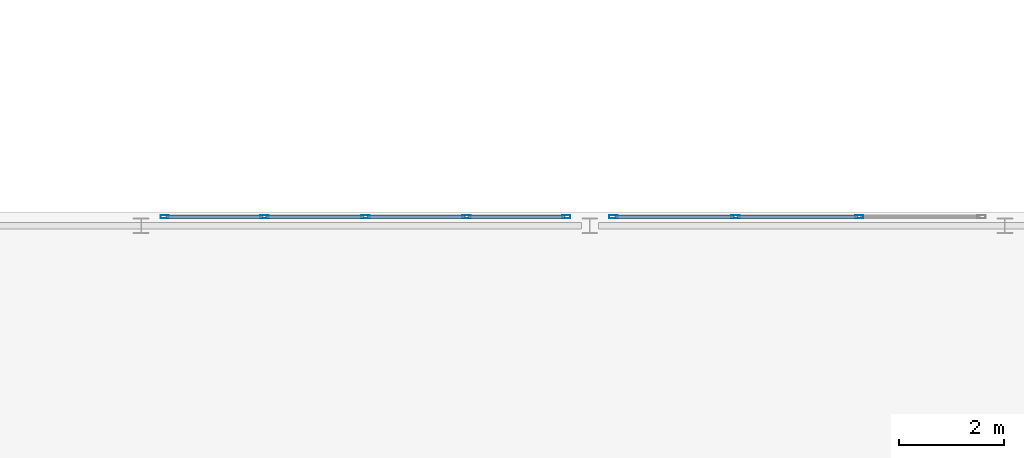
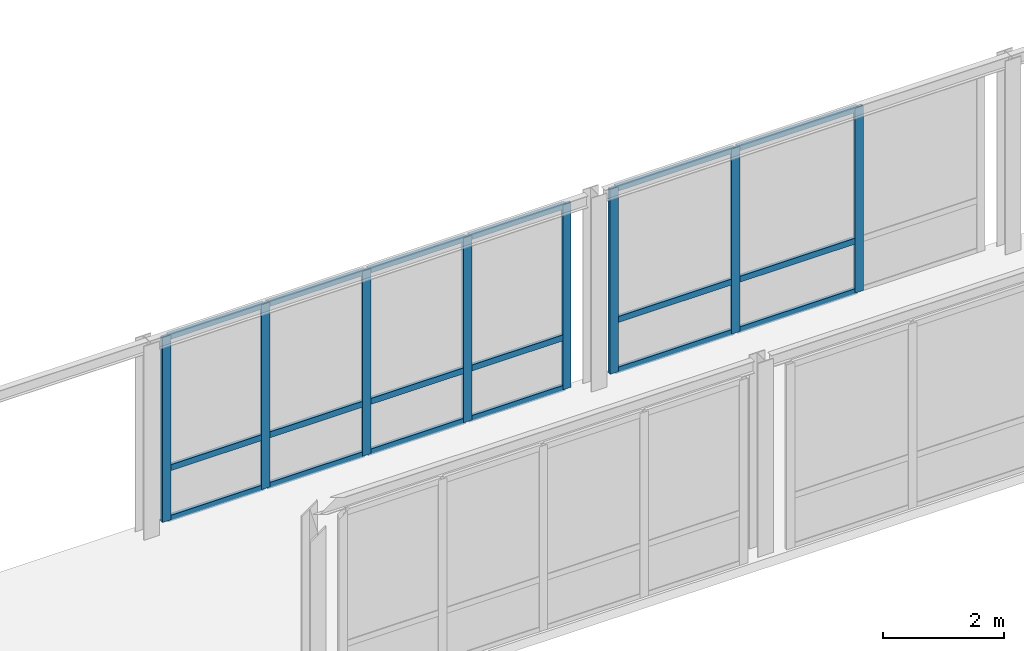
# One storey, part 62 of 165: 26 members, 2 elements without a shape of their own.
"""IFC4 building model written with IfcOpenShell, lengths in metres."""

import ifcopenshell
import ifcopenshell.guid

model = None  # the IFC model being written
_history = None  # IfcOwnerHistory: only IFC2X3 demands one
_inside = {}  # id of a spatial element -> (the spatial element, [elements in it])
_under = {}  # id of a project, library or spatial element -> (it, [spatial elements below it])
_declared = {}  # id of a project -> (the project, [libraries it declares])
_typed = {}  # id of a type object -> (the type object, [elements of that type])
_made_of = {}  # id of a material, layer set ... -> (it, [elements and type objects made of it])


def new_model(schema):
    """Start an empty IFC model of exactly this schema.

    Asked for "IFC4X3", IfcOpenShell would pick the latest addendum, in which some entities
    have other attributes; the version numbers below select the first issue.
    IFC2X3 requires an IfcOwnerHistory on every rooted entity: one is made here for all.
    """
    global model, _history
    if schema == "IFC4X3":
        model = ifcopenshell.file(schema_version=(4, 3, 0, 0))
    else:
        model = ifcopenshell.file(schema=schema)
    _inside.clear()
    _under.clear()
    _declared.clear()
    _typed.clear()
    _made_of.clear()
    _history = None
    if model.schema == "IFC2X3":
        org = make("IfcOrganization", Name="unknown")
        user = make(
            "IfcPersonAndOrganization",
            ThePerson=make("IfcPerson", FamilyName="unknown"),
            TheOrganization=org,
        )
        app = make(
            "IfcApplication",
            ApplicationDeveloper=org,
            Version="unknown",
            ApplicationFullName="unknown",
            ApplicationIdentifier="unknown",
        )
        _history = make(
            "IfcOwnerHistory",
            OwningUser=user,
            OwningApplication=app,
            ChangeAction="ADDED",
            CreationDate=0,
        )
    return model


def make(cls, **values):
    """One entity of the class cls with the attributes given. An attribute that is None is left unset."""
    return model.create_entity(
        cls, **{name: value for name, value in values.items() if value is not None}
    )


def rooted(cls, **values):
    """An entity with a GlobalId (a new one), such as an element, a storey or a relation."""
    return make(cls, GlobalId=ifcopenshell.guid.new(), OwnerHistory=_history, **values)


def si_unit(unit_type, name, prefix=None):
    """IfcSIUnit, for example si_unit("LENGTHUNIT", "METRE", prefix="MILLI")."""
    return make("IfcSIUnit", UnitType=unit_type, Prefix=prefix, Name=name)


def assignment(units):
    """IfcUnitAssignment: the units of a project."""
    return None if units is None else make("IfcUnitAssignment", Units=units)


def point(xyz):
    """IfcCartesianPoint."""
    return None if xyz is None else make("IfcCartesianPoint", Coordinates=xyz)


def direction(xyz):
    """IfcDirection."""
    return None if xyz is None else make("IfcDirection", DirectionRatios=xyz)


def frame(location, z_axis=None, x_axis=None):
    """IfcAxis2Placement3D, a coordinate frame: its origin and axes. An axis left out is left unset."""
    return make(
        "IfcAxis2Placement3D",
        Location=point(location),
        Axis=direction(z_axis),
        RefDirection=direction(x_axis),
    )


def frame_2d(location, x_axis=None):
    """IfcAxis2Placement2D, a coordinate frame in the plane: its origin and x axis."""
    return make(
        "IfcAxis2Placement2D", Location=point(location), RefDirection=direction(x_axis)
    )


def origin():
    """The frame at (0, 0, 0) with its axes left unset."""
    return frame((0.0, 0.0, 0.0))


def origin_2d():
    """The frame at (0, 0) in the plane with its x axis left unset."""
    return frame_2d((0.0, 0.0))


def place(relative_to, where):
    """IfcLocalPlacement: puts the frame where relative to a parent placement (None: the world)."""
    return make(
        "IfcLocalPlacement", PlacementRelTo=relative_to, RelativePlacement=where
    )


def context(
    kind, dimensions, precision=None, world=None, true_north=None, identifier=None
):
    """IfcGeometricRepresentationContext, for example the 3D "Model" context."""
    return make(
        "IfcGeometricRepresentationContext",
        ContextIdentifier=identifier,
        ContextType=kind,
        CoordinateSpaceDimension=dimensions,
        Precision=precision,
        WorldCoordinateSystem=world,
        TrueNorth=true_north,
    )


def subcontext(parent, identifier, kind, view, scale=None):
    """IfcGeometricRepresentationSubContext, for example "Body" below "Model"."""
    return make(
        "IfcGeometricRepresentationSubContext",
        ContextIdentifier=identifier,
        ContextType=kind,
        ParentContext=parent,
        TargetScale=scale,
        TargetView=view,
    )


def project(units=None, contexts=None):
    """IfcProject with its units and contexts."""
    return rooted(
        "IfcProject",
        Name="project",
        RepresentationContexts=contexts,
        UnitsInContext=assignment(units),
    )


def spatial(cls, under=None, at=None, **own):
    """A site, building, storey or space (cls), placed at a placement, below another one or the project."""
    s = rooted(cls, ObjectPlacement=at, **own)
    if under is not None:
        _under.setdefault(under.id(), (under, []))[1].append(s)
    return s


def profile(cls, at=None, kind="AREA", **sizes):
    """A parametric profile (cls). Its sizes go by their IFC names, for example OverallWidth=200.0."""
    return make(cls, ProfileType=kind, Position=at, **sizes)


def hollow_rectangle(**sizes):
    """IfcRectangleHollowProfileDef."""
    return profile("IfcRectangleHollowProfileDef", **sizes)


def extrude(swept, where, along, depth):
    """IfcExtrudedAreaSolid: the profile swept, set in the frame where, extruded along a direction by depth."""
    return make(
        "IfcExtrudedAreaSolid",
        SweptArea=swept,
        Position=where,
        ExtrudedDirection=direction(along),
        Depth=depth,
    )


def shape(context_of_items, identifier, shape_type, items):
    """IfcShapeRepresentation: the items that make up one representation, for example the "Body"."""
    return make(
        "IfcShapeRepresentation",
        ContextOfItems=context_of_items,
        RepresentationIdentifier=identifier,
        RepresentationType=shape_type,
        Items=items,
    )


def material(Name=None, Category=None):
    """IfcMaterial."""
    return make("IfcMaterial", Name=Name, Category=Category)


def layer(
    of_material, thickness, ventilated=None, Name=None, Category=None, Priority=None
):
    """IfcMaterialLayer: one layer of a wall or slab, of a material (None: an air gap)."""
    return make(
        "IfcMaterialLayer",
        Material=of_material,
        LayerThickness=thickness,
        IsVentilated=ventilated,
        Name=Name,
        Category=Category,
        Priority=Priority,
    )


def layer_set(layers, Name=None):
    """IfcMaterialLayerSet."""
    return make("IfcMaterialLayerSet", MaterialLayers=layers, LayerSetName=Name)


def material_profile(
    of_material, cross_section, Name=None, Category=None, Priority=None
):
    """IfcMaterialProfile: a cross section and its material."""
    return make(
        "IfcMaterialProfile",
        Name=Name,
        Material=of_material,
        Profile=cross_section,
        Priority=Priority,
        Category=Category,
    )


def profile_set(profiles, Name=None, composite=None):
    """IfcMaterialProfileSet."""
    return make(
        "IfcMaterialProfileSet",
        Name=Name,
        MaterialProfiles=profiles,
        CompositeProfile=composite,
    )


def made_of(thing, what):
    """Note that an element or type object is made of a material, layer set ...; save() writes the relation."""
    if what is not None:
        _made_of.setdefault(what.id(), (what, []))[1].append(thing)
    return thing


def type_object(cls, material=None, **own):
    """A type object (cls), such as IfcWallType, which elements share."""
    return made_of(rooted(cls, **own), material)


def element(
    cls,
    number,
    at=None,
    inside=None,
    cuts=None,
    type_object=None,
    material=None,
    context=None,
    identifier="Body",
    shape_type=None,
    held_by="IfcProductDefinitionShape",
    body=None,
    shapes=None,
    **own,
):
    """One element of the class cls, such as IfcWall. Its Tag is "e" and its number.

    at: its placement. inside: the storey or other place that contains it. cuts: it is an
    opening in that element (IfcRelVoidsElement). A single representation is given by context,
    identifier, shape_type and body (its items); several are given by shapes. held_by: the class
    of the entity that holds the representations. save() writes the other relations.
    """
    e = rooted(cls, Tag="e%d" % number, ObjectPlacement=at, **own)
    if body is not None:
        shapes = [shape(context, identifier, shape_type, body)]
    if shapes is not None:
        e.Representation = make(held_by, Representations=shapes)
    if inside is not None:
        _inside.setdefault(inside.id(), (inside, []))[1].append(e)
    if cuts is not None:
        rooted(
            "IfcRelVoidsElement", RelatingBuildingElement=cuts, RelatedOpeningElement=e
        )
    if type_object is not None:
        _typed.setdefault(type_object.id(), (type_object, []))[1].append(e)
    return made_of(e, material)


def aggregate(whole, parts):
    """IfcRelAggregates: a whole, such as a stair, and the parts it consists of."""
    return rooted("IfcRelAggregates", RelatingObject=whole, RelatedObjects=parts)


def save(model, path):
    """Write the relations noted so far, then the file.

    IfcRelAggregates (storeys below a building ...), IfcRelContainedInSpatialStructure (elements
    in a storey), IfcRelDefinesByType, IfcRelAssociatesMaterial and IfcRelDeclares: one each for
    every whole, place, type object, material and project.
    """
    for whole, parts in _under.values():
        aggregate(whole, parts)
    for where, things in _inside.values():
        rooted(
            "IfcRelContainedInSpatialStructure",
            RelatedElements=things,
            RelatingStructure=where,
        )
    for kind, things in _typed.values():
        rooted("IfcRelDefinesByType", RelatedObjects=things, RelatingType=kind)
    for what, things in _made_of.values():
        rooted("IfcRelAssociatesMaterial", RelatedObjects=things, RelatingMaterial=what)
    for by, libraries in _declared.values():
        rooted("IfcRelDeclares", RelatingContext=by, RelatedDefinitions=libraries)
    model.write(path)


model = new_model("IFC4")

# Units and contexts
model_context = context("Model", 3, precision=1e-05, world=origin(), true_north=direction((0.0, 1.0)))
body_context = subcontext(model_context, "Body", "Model", "MODEL_VIEW")
ifc_project = project(units=[si_unit("LENGTHUNIT", "METRE"), si_unit("AREAUNIT", "SQUARE_METRE"), si_unit("VOLUMEUNIT", "CUBIC_METRE"), si_unit("PLANEANGLEUNIT", "RADIAN"), si_unit("MASSUNIT", "GRAM", prefix="KILO")], contexts=[model_context])

# Site, building, storey
site_placement = place(None, origin())
site = spatial("IfcSite", under=ifc_project, at=site_placement, CompositionType="ELEMENT")
building_placement = place(site_placement, origin())
building = spatial("IfcBuilding", under=site, at=building_placement, Name="Montecoro Central Library", CompositionType="ELEMENT")
storey_placement = place(building_placement, frame((0.0, 0.0, 5.10009765625)))
storey = spatial("IfcBuildingStorey", under=building, at=storey_placement, Name="L01", CompositionType="ELEMENT", Elevation=5.10009765625)

# Curtain wall, members
ifc_material_1 = material(Name="Bronze-anodised aluminium and low-E glazing", Category="aluminium")
ifc_layer_1 = layer(ifc_material_1, 0.159912109375)
ifc_layer_set_1 = layer_set([ifc_layer_1], Name="Bronze-anodised aluminium and low-E glazing")
curtain_wall_type_1 = type_object("IfcCurtainWallType", Name="CWT-087", PredefinedType="NOTDEFINED", material=ifc_layer_set_1)
curtain_wall_1_placement = place(storey_placement, origin())
curtain_wall_1 = element("IfcCurtainWall", 1, at=curtain_wall_1_placement, inside=storey, type_object=curtain_wall_type_1, Name="BR-SE-L01-CW-N1", PredefinedType="NOTDEFINED")
ifc_material_2 = material(Name="Bronze-anodised aluminium", Category="aluminium")
ifc_material_profile_1 = material_profile(ifc_material_2, hollow_rectangle(XDim=0.06005859375, YDim=0.159912109375, WallThickness=0.00390625, at=origin_2d()), Name="CWM 160x60x4.0")
ifc_profile_set_1 = profile_set([ifc_material_profile_1], Name="Bronze-anodised aluminium")
member_type_1 = type_object("IfcMemberType", Name="CWM-BRZ-60", PredefinedType="MULLION", material=ifc_profile_set_1)
member_1_placement = place(storey_placement, frame((117.110107421875, 38.320068359375, 0.0), z_axis=(0.0, 0.0, 1.0), x_axis=(0.0, 1.0, 0.0)))
member_1 = element("IfcMember", 2, at=member_1_placement, type_object=member_type_1, Name="CW-087 mullion 1", PredefinedType="MULLION", context=body_context, shape_type="SweptSolid", body=[
    extrude(hollow_rectangle(XDim=0.06005859375, YDim=0.159912109375, WallThickness=0.00390625, at=origin_2d()), origin(), (0.0, 0.0, 1.0), 3.72998046875),
])
member_2_placement = place(storey_placement, frame((119.0048828125, 38.320068359375, 0.0), z_axis=(0.0, 0.0, 1.0), x_axis=(0.0, 1.0, 0.0)))
member_2 = element("IfcMember", 3, at=member_2_placement, type_object=member_type_1, Name="CW-087 mullion 2", PredefinedType="MULLION", context=body_context, shape_type="SweptSolid", body=[
    extrude(hollow_rectangle(XDim=0.06005859375, YDim=0.159912109375, WallThickness=0.00390625, at=origin_2d()), origin(), (0.0, 0.0, 1.0), 3.72998046875),
])
member_3_placement = place(storey_placement, frame((120.929931640625, 38.320068359375, 0.0), z_axis=(0.0, 0.0, 1.0), x_axis=(0.0, 1.0, 0.0)))
member_3 = element("IfcMember", 4, at=member_3_placement, type_object=member_type_1, Name="CW-087 mullion 3", PredefinedType="MULLION", context=body_context, shape_type="SweptSolid", body=[
    extrude(hollow_rectangle(XDim=0.06005859375, YDim=0.159912109375, WallThickness=0.00390625, at=origin_2d()), origin(), (0.0, 0.0, 1.0), 3.72998046875),
])
member_4_placement = place(storey_placement, frame((122.85498046875, 38.320068359375, 0.0), z_axis=(0.0, 0.0, 1.0), x_axis=(0.0, 1.0, 0.0)))
member_4 = element("IfcMember", 5, at=member_4_placement, type_object=member_type_1, Name="CW-087 mullion 4", PredefinedType="MULLION", context=body_context, shape_type="SweptSolid", body=[
    extrude(hollow_rectangle(XDim=0.06005859375, YDim=0.159912109375, WallThickness=0.00390625, at=origin_2d()), origin(), (0.0, 0.0, 1.0), 3.72998046875),
])
member_5_placement = place(storey_placement, frame((124.75, 38.320068359375, 0.0), z_axis=(0.0, 0.0, 1.0), x_axis=(0.0, 1.0, 0.0)))
member_5 = element("IfcMember", 6, at=member_5_placement, type_object=member_type_1, Name="CW-087 mullion 5", PredefinedType="MULLION", context=body_context, shape_type="SweptSolid", body=[
    extrude(hollow_rectangle(XDim=0.06005859375, YDim=0.159912109375, WallThickness=0.00390625, at=origin_2d()), origin(), (0.0, 0.0, 1.0), 3.72998046875),
])

ifc_layer_2 = layer(ifc_material_1, 0.159912109375)
ifc_layer_set_2 = layer_set([ifc_layer_2], Name="Bronze-anodised aluminium and low-E glazing")
curtain_wall_type_2 = type_object("IfcCurtainWallType", Name="CWT-088", PredefinedType="NOTDEFINED", material=ifc_layer_set_2)
curtain_wall_2_placement = place(storey_placement, origin())
curtain_wall_2 = element("IfcCurtainWall", 7, at=curtain_wall_2_placement, inside=storey, type_object=curtain_wall_type_2, Name="BR-SE-L01-CW-N2", PredefinedType="NOTDEFINED")
member_6_placement = place(storey_placement, frame((125.64990234375, 38.320068359375, 0.0), z_axis=(0.0, 0.0, 1.0), x_axis=(0.0, 1.0, 0.0)))
member_6 = element("IfcMember", 8, at=member_6_placement, type_object=member_type_1, Name="CW-088 mullion 1", PredefinedType="MULLION", context=body_context, shape_type="SweptSolid", body=[
    extrude(hollow_rectangle(XDim=0.06005859375, YDim=0.159912109375, WallThickness=0.00390625, at=origin_2d()), origin(), (0.0, 0.0, 1.0), 3.72998046875),
])
member_7_placement = place(storey_placement, frame((127.973388671875, 38.320068359375, 0.0), z_axis=(0.0, 0.0, 1.0), x_axis=(0.0, 1.0, 0.0)))
member_7 = element("IfcMember", 9, at=member_7_placement, type_object=member_type_1, Name="CW-088 mullion 2", PredefinedType="MULLION", context=body_context, shape_type="SweptSolid", body=[
    extrude(hollow_rectangle(XDim=0.06005859375, YDim=0.159912109375, WallThickness=0.00390625, at=origin_2d()), origin(), (0.0, 0.0, 1.0), 3.72998046875),
])
member_8_placement = place(storey_placement, frame((130.32666015625, 38.320068359375, 0.0), z_axis=(0.0, 0.0, 1.0), x_axis=(0.0, 1.0, 0.0)))
member_8 = element("IfcMember", 10, at=member_8_placement, type_object=member_type_1, Name="CW-088 mullion 3", PredefinedType="MULLION", context=body_context, shape_type="SweptSolid", body=[
    extrude(hollow_rectangle(XDim=0.06005859375, YDim=0.159912109375, WallThickness=0.00390625, at=origin_2d()), origin(), (0.0, 0.0, 1.0), 3.72998046875),
])

# Member
ifc_material_profile_2 = material_profile(ifc_material_2, hollow_rectangle(XDim=0.06005859375, YDim=0.1201171875, WallThickness=0.00390625, at=origin_2d()), Name="CWT 120x60x4.0")
ifc_profile_set_2 = profile_set([ifc_material_profile_2], Name="Bronze-anodised aluminium")
member_type_2 = type_object("IfcMemberType", Name="CWT-BRZ-60", PredefinedType="USERDEFINED", material=ifc_profile_set_2)
member_9_placement = place(storey_placement, frame((117.139892578125, 38.320068359375, 0.02978515625), z_axis=(1.0, 0.0, 0.0), x_axis=(0.0, 1.0, 0.0)))
member_9 = element("IfcMember", 11, at=member_9_placement, type_object=member_type_2, Name="CW-087 transom 1.1", ObjectType="TRANSOM", PredefinedType="USERDEFINED", context=body_context, shape_type="SweptSolid", body=[
    extrude(hollow_rectangle(XDim=0.06005859375, YDim=0.1201171875, WallThickness=0.00390625, at=origin_2d()), origin(), (0.0, 0.0, 1.0), 1.835205078125),
])

member_10_placement = place(storey_placement, frame((117.139892578125, 38.320068359375, 1.0498046875), z_axis=(1.0, 0.0, 0.0), x_axis=(0.0, 1.0, 0.0)))
member_10 = element("IfcMember", 12, at=member_10_placement, type_object=member_type_2, Name="CW-087 transom 1.2", ObjectType="TRANSOM", PredefinedType="USERDEFINED", context=body_context, shape_type="SweptSolid", body=[
    extrude(hollow_rectangle(XDim=0.06005859375, YDim=0.1201171875, WallThickness=0.00390625, at=origin_2d()), origin(), (0.0, 0.0, 1.0), 1.835205078125),
])

member_11_placement = place(storey_placement, frame((117.139892578125, 38.320068359375, 3.699951171875), z_axis=(1.0, 0.0, 0.0), x_axis=(0.0, 1.0, 0.0)))
member_11 = element("IfcMember", 13, at=member_11_placement, type_object=member_type_2, Name="CW-087 transom 1.3", ObjectType="TRANSOM", PredefinedType="USERDEFINED", context=body_context, shape_type="SweptSolid", body=[
    extrude(hollow_rectangle(XDim=0.06005859375, YDim=0.1201171875, WallThickness=0.00390625, at=origin_2d()), origin(), (0.0, 0.0, 1.0), 1.835205078125),
])

member_12_placement = place(storey_placement, frame((119.034912109375, 38.320068359375, 0.02978515625), z_axis=(1.0, 0.0, 0.0), x_axis=(0.0, 1.0, 0.0)))
member_12 = element("IfcMember", 14, at=member_12_placement, type_object=member_type_2, Name="CW-087 transom 2.1", ObjectType="TRANSOM", PredefinedType="USERDEFINED", context=body_context, shape_type="SweptSolid", body=[
    extrude(hollow_rectangle(XDim=0.06005859375, YDim=0.1201171875, WallThickness=0.00390625, at=origin_2d()), origin(), (0.0, 0.0, 1.0), 1.864990234375),
])

member_13_placement = place(storey_placement, frame((119.034912109375, 38.320068359375, 1.0498046875), z_axis=(1.0, 0.0, 0.0), x_axis=(0.0, 1.0, 0.0)))
member_13 = element("IfcMember", 15, at=member_13_placement, type_object=member_type_2, Name="CW-087 transom 2.2", ObjectType="TRANSOM", PredefinedType="USERDEFINED", context=body_context, shape_type="SweptSolid", body=[
    extrude(hollow_rectangle(XDim=0.06005859375, YDim=0.1201171875, WallThickness=0.00390625, at=origin_2d()), origin(), (0.0, 0.0, 1.0), 1.864990234375),
])

member_14_placement = place(storey_placement, frame((119.034912109375, 38.320068359375, 3.699951171875), z_axis=(1.0, 0.0, 0.0), x_axis=(0.0, 1.0, 0.0)))
member_14 = element("IfcMember", 16, at=member_14_placement, type_object=member_type_2, Name="CW-087 transom 2.3", ObjectType="TRANSOM", PredefinedType="USERDEFINED", context=body_context, shape_type="SweptSolid", body=[
    extrude(hollow_rectangle(XDim=0.06005859375, YDim=0.1201171875, WallThickness=0.00390625, at=origin_2d()), origin(), (0.0, 0.0, 1.0), 1.864990234375),
])

member_15_placement = place(storey_placement, frame((120.9599609375, 38.320068359375, 0.02978515625), z_axis=(1.0, 0.0, 0.0), x_axis=(0.0, 1.0, 0.0)))
member_15 = element("IfcMember", 17, at=member_15_placement, type_object=member_type_2, Name="CW-087 transom 3.1", ObjectType="TRANSOM", PredefinedType="USERDEFINED", context=body_context, shape_type="SweptSolid", body=[
    extrude(hollow_rectangle(XDim=0.06005859375, YDim=0.1201171875, WallThickness=0.00390625, at=origin_2d()), origin(), (0.0, 0.0, 1.0), 1.864990234375),
])

member_16_placement = place(storey_placement, frame((120.9599609375, 38.320068359375, 1.0498046875), z_axis=(1.0, 0.0, 0.0), x_axis=(0.0, 1.0, 0.0)))
member_16 = element("IfcMember", 18, at=member_16_placement, type_object=member_type_2, Name="CW-087 transom 3.2", ObjectType="TRANSOM", PredefinedType="USERDEFINED", context=body_context, shape_type="SweptSolid", body=[
    extrude(hollow_rectangle(XDim=0.06005859375, YDim=0.1201171875, WallThickness=0.00390625, at=origin_2d()), origin(), (0.0, 0.0, 1.0), 1.864990234375),
])

member_17_placement = place(storey_placement, frame((120.9599609375, 38.320068359375, 3.699951171875), z_axis=(1.0, 0.0, 0.0), x_axis=(0.0, 1.0, 0.0)))
member_17 = element("IfcMember", 19, at=member_17_placement, type_object=member_type_2, Name="CW-087 transom 3.3", ObjectType="TRANSOM", PredefinedType="USERDEFINED", context=body_context, shape_type="SweptSolid", body=[
    extrude(hollow_rectangle(XDim=0.06005859375, YDim=0.1201171875, WallThickness=0.00390625, at=origin_2d()), origin(), (0.0, 0.0, 1.0), 1.864990234375),
])

member_18_placement = place(storey_placement, frame((122.885009765625, 38.320068359375, 0.02978515625), z_axis=(1.0, 0.0, 0.0), x_axis=(0.0, 1.0, 0.0)))
member_18 = element("IfcMember", 20, at=member_18_placement, type_object=member_type_2, Name="CW-087 transom 4.1", ObjectType="TRANSOM", PredefinedType="USERDEFINED", context=body_context, shape_type="SweptSolid", body=[
    extrude(hollow_rectangle(XDim=0.06005859375, YDim=0.1201171875, WallThickness=0.00390625, at=origin_2d()), origin(), (0.0, 0.0, 1.0), 1.8349609375),
])

member_19_placement = place(storey_placement, frame((122.885009765625, 38.320068359375, 1.0498046875), z_axis=(1.0, 0.0, 0.0), x_axis=(0.0, 1.0, 0.0)))
member_19 = element("IfcMember", 21, at=member_19_placement, type_object=member_type_2, Name="CW-087 transom 4.2", ObjectType="TRANSOM", PredefinedType="USERDEFINED", context=body_context, shape_type="SweptSolid", body=[
    extrude(hollow_rectangle(XDim=0.06005859375, YDim=0.1201171875, WallThickness=0.00390625, at=origin_2d()), origin(), (0.0, 0.0, 1.0), 1.8349609375),
])

member_20_placement = place(storey_placement, frame((122.885009765625, 38.320068359375, 3.699951171875), z_axis=(1.0, 0.0, 0.0), x_axis=(0.0, 1.0, 0.0)))
member_20 = element("IfcMember", 22, at=member_20_placement, type_object=member_type_2, Name="CW-087 transom 4.3", ObjectType="TRANSOM", PredefinedType="USERDEFINED", context=body_context, shape_type="SweptSolid", body=[
    extrude(hollow_rectangle(XDim=0.06005859375, YDim=0.1201171875, WallThickness=0.00390625, at=origin_2d()), origin(), (0.0, 0.0, 1.0), 1.8349609375),
])

aggregate(curtain_wall_1, [member_1, member_2, member_3, member_4, member_5, member_9, member_10, member_11, member_12, member_13, member_14, member_15, member_16, member_17, member_18, member_19, member_20])

member_21_placement = place(storey_placement, frame((125.679931640625, 38.320068359375, 0.02978515625), z_axis=(1.0, 0.0, 0.0), x_axis=(0.0, 1.0, 0.0)))
member_21 = element("IfcMember", 23, at=member_21_placement, type_object=member_type_2, Name="CW-088 transom 1.1", ObjectType="TRANSOM", PredefinedType="USERDEFINED", context=body_context, shape_type="SweptSolid", body=[
    extrude(hollow_rectangle(XDim=0.06005859375, YDim=0.1201171875, WallThickness=0.00390625, at=origin_2d()), origin(), (0.0, 0.0, 1.0), 2.263427734375),
])

member_22_placement = place(storey_placement, frame((125.679931640625, 38.320068359375, 1.0498046875), z_axis=(1.0, 0.0, 0.0), x_axis=(0.0, 1.0, 0.0)))
member_22 = element("IfcMember", 24, at=member_22_placement, type_object=member_type_2, Name="CW-088 transom 1.2", ObjectType="TRANSOM", PredefinedType="USERDEFINED", context=body_context, shape_type="SweptSolid", body=[
    extrude(hollow_rectangle(XDim=0.06005859375, YDim=0.1201171875, WallThickness=0.00390625, at=origin_2d()), origin(), (0.0, 0.0, 1.0), 2.263427734375),
])

member_23_placement = place(storey_placement, frame((125.679931640625, 38.320068359375, 3.699951171875), z_axis=(1.0, 0.0, 0.0), x_axis=(0.0, 1.0, 0.0)))
member_23 = element("IfcMember", 25, at=member_23_placement, type_object=member_type_2, Name="CW-088 transom 1.3", ObjectType="TRANSOM", PredefinedType="USERDEFINED", context=body_context, shape_type="SweptSolid", body=[
    extrude(hollow_rectangle(XDim=0.06005859375, YDim=0.1201171875, WallThickness=0.00390625, at=origin_2d()), origin(), (0.0, 0.0, 1.0), 2.263427734375),
])

member_24_placement = place(storey_placement, frame((128.00341796875, 38.320068359375, 0.02978515625), z_axis=(1.0, 0.0, 0.0), x_axis=(0.0, 1.0, 0.0)))
member_24 = element("IfcMember", 26, at=member_24_placement, type_object=member_type_2, Name="CW-088 transom 2.1", ObjectType="TRANSOM", PredefinedType="USERDEFINED", context=body_context, shape_type="SweptSolid", body=[
    extrude(hollow_rectangle(XDim=0.06005859375, YDim=0.1201171875, WallThickness=0.00390625, at=origin_2d()), origin(), (0.0, 0.0, 1.0), 2.293212890625),
])

member_25_placement = place(storey_placement, frame((128.00341796875, 38.320068359375, 1.0498046875), z_axis=(1.0, 0.0, 0.0), x_axis=(0.0, 1.0, 0.0)))
member_25 = element("IfcMember", 27, at=member_25_placement, type_object=member_type_2, Name="CW-088 transom 2.2", ObjectType="TRANSOM", PredefinedType="USERDEFINED", context=body_context, shape_type="SweptSolid", body=[
    extrude(hollow_rectangle(XDim=0.06005859375, YDim=0.1201171875, WallThickness=0.00390625, at=origin_2d()), origin(), (0.0, 0.0, 1.0), 2.293212890625),
])

member_26_placement = place(storey_placement, frame((128.00341796875, 38.320068359375, 3.699951171875), z_axis=(1.0, 0.0, 0.0), x_axis=(0.0, 1.0, 0.0)))
member_26 = element("IfcMember", 28, at=member_26_placement, type_object=member_type_2, Name="CW-088 transom 2.3", ObjectType="TRANSOM", PredefinedType="USERDEFINED", context=body_context, shape_type="SweptSolid", body=[
    extrude(hollow_rectangle(XDim=0.06005859375, YDim=0.1201171875, WallThickness=0.00390625, at=origin_2d()), origin(), (0.0, 0.0, 1.0), 2.293212890625),
])

aggregate(curtain_wall_2, [member_6, member_7, member_8, member_21, member_22, member_23, member_24, member_25, member_26])

save(model, "model.ifc")
